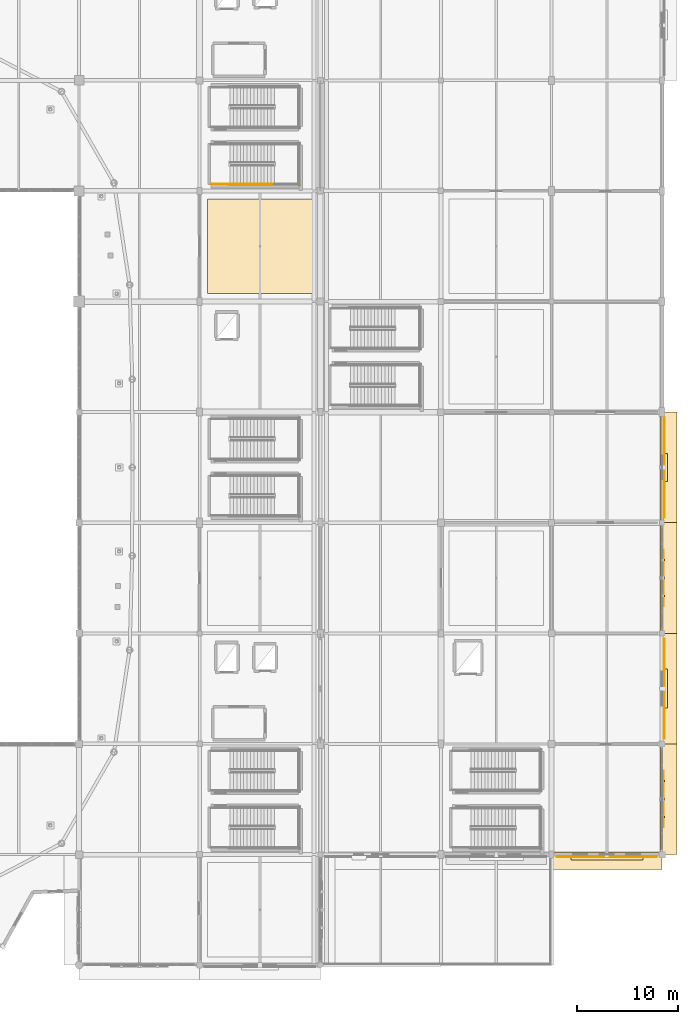
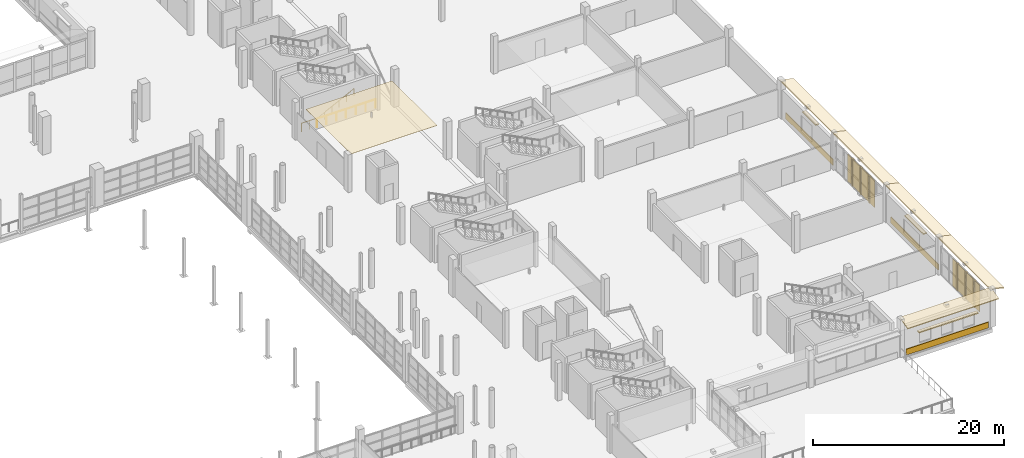
# One storey, part 139 of 143: 18 coverings, 3 railings, 2 shading devices.
"""IFC4 building model written with IfcOpenShell, lengths in metres."""

from ifc_helpers import new_model, si_unit, direction, frame, origin, origin_2d, place, context, subcontext, project, spatial, polyline, rectangle, circle, outline, extrude, material, layer, layer_set, type_object, element, save


model = new_model("IFC4")

# Units and contexts
model_context = context("Model", 3, precision=1e-05, world=origin(), true_north=direction((0.0, 1.0)))
body_context = subcontext(model_context, "Body", "Model", "MODEL_VIEW")
ifc_project = project(units=[si_unit("LENGTHUNIT", "METRE"), si_unit("AREAUNIT", "SQUARE_METRE"), si_unit("VOLUMEUNIT", "CUBIC_METRE"), si_unit("PLANEANGLEUNIT", "RADIAN"), si_unit("MASSUNIT", "GRAM", prefix="KILO")], contexts=[model_context])

# Site, building, storey
site_placement = place(None, origin())
site = spatial("IfcSite", under=ifc_project, at=site_placement, CompositionType="ELEMENT")
building_placement = place(site_placement, origin())
building = spatial("IfcBuilding", under=site, at=building_placement, Name="Luwafu Chhajja Arena", CompositionType="ELEMENT")
storey_placement = place(building_placement, frame((0.0, 0.0, 5.39990234375)))
storey = spatial("IfcBuildingStorey", under=building, at=storey_placement, Name="L01", CompositionType="ELEMENT", Elevation=5.39990234375)

# Coverings
ifc_material_1 = material(Name="Red laterite sandstone cladding", Category="masonry")
ifc_layer_1 = layer(ifc_material_1, 0.074951171875, Name="Red laterite sandstone cladding")
ifc_layer_set_1 = layer_set([ifc_layer_1], Name="Red laterite sandstone cladding")
covering_type_1 = type_object("IfcCoveringType", Name="Dressed Red-Laterite Sandstone Cladding", PredefinedType="CLADDING", material=ifc_layer_set_1)
covering_1_placement = place(storey_placement, frame((187.0, 11.199951171875, 4.760009765625), z_axis=(0.0, -0.242502450825, 0.970150793096), x_axis=(1.0, 0.0, 0.0)))
element("IfcCovering", 1, at=covering_1_placement, inside=storey, type_object=covering_type_1, Name="L01 Continuous Sloped Sandstone Chhajja Eave 0114", PredefinedType="CLADDING", context=body_context, shape_type="SweptSolid", body=[
    extrude(outline(polyline([(0.0, 0.0), (11.0, 0.0), (11.0, -1.731619097341133), (0.0, -1.731619097341133), (0.0, 0.0)])), origin(), (0.0, 0.0, -1.0), 0.1298828125),
])
covering_2_placement = place(storey_placement, frame((192.5, 10.7880859375, 0.0), z_axis=(0.0, 0.0, 1.0), x_axis=(1.0, 0.0, 0.0)))
element("IfcCovering", 2, at=covering_2_placement, inside=storey, type_object=covering_type_1, Name="L01 Red-Laterite Sandstone Plinth Cladding 033", PredefinedType="CLADDING", context=body_context, shape_type="SweptSolid", body=[
    extrude(rectangle(XDim=9.9599609375, YDim=0.0849609375, at=origin_2d()), origin(), (0.0, 0.0, 1.0), 0.760009765625),
])
covering_3_placement = place(storey_placement, frame((192.5, 10.659912109375, 2.47998046875), z_axis=(0.0, 0.0, 1.0), x_axis=(1.0, 0.0, 0.0)))
element("IfcCovering", 3, at=covering_3_placement, inside=storey, type_object=covering_type_1, Name="L01 Mughal Sandstone Window Chhajja Hood 0032", PredefinedType="CLADDING", context=body_context, shape_type="SweptSolid", body=[
    extrude(rectangle(XDim=7.179931640625, YDim=0.419921875, at=origin_2d()), origin(), (0.0, 0.0, 1.0), 0.139892578125),
])
covering_4_placement = place(storey_placement, frame((197.800048828125, 11.0, 4.760009765625), z_axis=(0.242502450825, 0.0, 0.970150793096), x_axis=(0.0, 1.0, 0.0)))
element("IfcCovering", 4, at=covering_4_placement, inside=storey, type_object=covering_type_1, Name="L01 Continuous Sloped Sandstone Chhajja Eave 0115", PredefinedType="CLADDING", context=body_context, shape_type="SweptSolid", body=[
    extrude(outline(polyline([(0.0, 0.0), (11.0, 0.0), (11.0, -1.731619097341133), (0.0, -1.731619097341133), (0.0, 0.0)])), origin(), (0.0, 0.0, -1.0), 0.1298828125),
])
for number, where, z_axis, x_axis, name in (
    (5, (198.110107421875, 14.720458984375, 0.0), (0.0, 0.0, 1.0), (0.0, 1.0, 0.0), "L01 Sandstone Jali Mullion Fin 024"),
    (6, (198.110107421875, 16.512451171875, 0.0), (0.0, 0.0, 1.0), (0.0, 1.0, 0.0), "L01 Sandstone Jali Mullion Fin 024"),
    (7, (198.110107421875, 18.304443359375, 0.0), (0.0, 0.0, 1.0), (0.0, 1.0, 0.0), "L01 Sandstone Jali Mullion Fin 024"),
):
    element("IfcCovering", number, at=place(storey_placement, frame(where, z_axis=z_axis, x_axis=x_axis)), inside=storey, type_object=covering_type_1, Name=name, PredefinedType="CLADDING", context=body_context, shape_type="SweptSolid", body=[
        extrude(rectangle(XDim=0.219970703125, YDim=0.239990234375, at=origin_2d()), origin(), (0.0, 0.0, 1.0), 3.455078125),
    ])
covering_5_placement = place(storey_placement, frame((197.800048828125, 22.0, 4.760009765625), z_axis=(0.242502450825, 0.0, 0.970150793096), x_axis=(0.0, 1.0, 0.0)))
element("IfcCovering", 8, at=covering_5_placement, inside=storey, type_object=covering_type_1, Name="L01 Continuous Sloped Sandstone Chhajja Eave 0116", PredefinedType="CLADDING", context=body_context, shape_type="SweptSolid", body=[
    extrude(outline(polyline([(0.0, 0.0), (11.0, 0.0), (11.0, -1.731619097341133), (0.0, -1.731619097341133), (0.0, 0.0)])), origin(), (0.0, 0.0, -1.0), 0.1298828125),
])
covering_6_placement = place(storey_placement, frame((198.2119140625, 27.5, 0.0), z_axis=(0.0, 0.0, 1.0), x_axis=(0.0, 1.0, 0.0)))
element("IfcCovering", 9, at=covering_6_placement, inside=storey, type_object=covering_type_1, Name="L01 Red-Laterite Sandstone Plinth Cladding 034", PredefinedType="CLADDING", context=body_context, shape_type="SweptSolid", body=[
    extrude(rectangle(XDim=9.9599609375, YDim=0.0849609375, at=origin_2d()), origin(), (0.0, 0.0, 1.0), 0.760009765625),
])
covering_7_placement = place(storey_placement, frame((198.340087890625, 27.5, 2.68017578125), z_axis=(0.0, 0.0, 1.0), x_axis=(0.0, 1.0, 0.0)))
element("IfcCovering", 10, at=covering_7_placement, inside=storey, type_object=covering_type_1, Name="L01 Mughal Sandstone Window Chhajja Hood 0033", PredefinedType="CLADDING", context=body_context, shape_type="SweptSolid", body=[
    extrude(rectangle(XDim=3.89990234375, YDim=0.419921875, at=origin_2d()), origin(), (0.0, 0.0, 1.0), 0.139892578125),
])
covering_8_placement = place(storey_placement, frame((197.800048828125, 33.0, 4.760009765625), z_axis=(0.242502450825, 0.0, 0.970150793096), x_axis=(0.0, 1.0, 0.0)))
element("IfcCovering", 11, at=covering_8_placement, inside=storey, type_object=covering_type_1, Name="L01 Continuous Sloped Sandstone Chhajja Eave 0117", PredefinedType="CLADDING", context=body_context, shape_type="SweptSolid", body=[
    extrude(outline(polyline([(0.0, 0.0), (11.0, 0.0), (11.0, -1.731619097341133), (0.0, -1.731619097341133), (0.0, 0.0)])), origin(), (0.0, 0.0, -1.0), 0.1298828125),
])
for number, where, z_axis, x_axis, name in (
    (12, (198.1298828125, 36.720458984375, 0.0), (0.0, 0.0, 1.0), (0.0, 1.0, 0.0), "L01 Sandstone Jali Mullion Fin 025"),
    (13, (198.1298828125, 38.512451171875, 0.0), (0.0, 0.0, 1.0), (0.0, 1.0, 0.0), "L01 Sandstone Jali Mullion Fin 025"),
    (14, (198.1298828125, 40.304443359375, 0.0), (0.0, 0.0, 1.0), (0.0, 1.0, 0.0), "L01 Sandstone Jali Mullion Fin 025"),
):
    element("IfcCovering", number, at=place(storey_placement, frame(where, z_axis=z_axis, x_axis=x_axis)), inside=storey, type_object=covering_type_1, Name=name, PredefinedType="CLADDING", context=body_context, shape_type="SweptSolid", body=[
        extrude(rectangle(XDim=0.219970703125, YDim=0.239990234375, at=origin_2d()), origin(), (0.0, 0.0, 1.0), 3.455078125),
    ])
covering_9_placement = place(storey_placement, frame((197.800048828125, 44.0, 4.760009765625), z_axis=(0.242502450825, 0.0, 0.970150793096), x_axis=(0.0, 1.0, 0.0)))
element("IfcCovering", 15, at=covering_9_placement, inside=storey, type_object=covering_type_1, Name="L01 Continuous Sloped Sandstone Chhajja Eave 0118", PredefinedType="CLADDING", context=body_context, shape_type="SweptSolid", body=[
    extrude(outline(polyline([(0.0, 0.0), (11.0, 0.0), (11.0, -1.731619097341133), (0.0, -1.731619097341133), (0.0, 0.0)])), origin(), (0.0, 0.0, -1.0), 0.1298828125),
])
covering_10_placement = place(storey_placement, frame((198.2119140625, 49.4951171875, 0.0), z_axis=(0.0, 0.0, 1.0), x_axis=(0.0, 1.0, 0.0)))
element("IfcCovering", 16, at=covering_10_placement, inside=storey, type_object=covering_type_1, Name="L01 Red-Laterite Sandstone Plinth Cladding 035", PredefinedType="CLADDING", context=body_context, shape_type="SweptSolid", body=[
    extrude(rectangle(XDim=9.969970703125, YDim=0.0849609375, at=origin_2d()), origin(), (0.0, 0.0, 1.0), 0.760009765625),
])
covering_11_placement = place(storey_placement, frame((198.340087890625, 49.4951171875, 2.93017578125), z_axis=(0.0, 0.0, 1.0), x_axis=(0.0, 1.0, 0.0)))
element("IfcCovering", 17, at=covering_11_placement, inside=storey, type_object=covering_type_1, Name="L01 Mughal Sandstone Window Chhajja Hood 0034", PredefinedType="CLADDING", context=body_context, shape_type="SweptSolid", body=[
    extrude(rectangle(XDim=2.800048828125, YDim=0.419921875, at=origin_2d()), origin(), (0.0, 0.0, 1.0), 0.139892578125),
])
ifc_material_2 = material(Name="Acoustic gypsum ceiling board")
ifc_layer_2 = layer(ifc_material_2, 0.0400390625, Name="Acoustic gypsum ceiling board")
ifc_layer_set_2 = layer_set([ifc_layer_2], Name="Acoustic gypsum ceiling board")
covering_type_2 = type_object("IfcCoveringType", Name="Perforated Acoustic Baffle Ceiling", PredefinedType="CEILING", material=ifc_layer_set_2)
covering_12_placement = place(storey_placement, frame((0.0, 0.0, 3.843017578125)))
element("IfcCovering", 18, at=covering_12_placement, inside=storey, type_object=covering_type_2, Name="L01 Acoustic Baffle Ceiling 037", PredefinedType="CEILING", context=body_context, shape_type="SweptSolid", body=[
    extrude(outline(polyline([(152.800048828125, 66.800048828125), (163.199951171875, 66.800048828125), (163.199951171875, 76.199951171875), (152.800048828125, 76.199951171875), (152.800048828125, 66.800048828125)])), origin(), (0.0, 0.0, 1.0), 0.0400390625),
])

# Shading devices
ifc_material_3 = material(Name="Pierced buff sandstone jali", Category="masonry")
ifc_layer_3 = layer(ifc_material_3, 0.080078125, Name="Pierced buff sandstone jali")
ifc_layer_set_3 = layer_set([ifc_layer_3], Name="Pierced buff sandstone jali")
shading_device_type = type_object("IfcShadingDeviceType", Name="Pierced Buff-Sandstone Jali Screen", PredefinedType="JALOUSIE", material=ifc_layer_set_3)
for number, where, z_axis, x_axis, name in (
    (19, (198.110107421875, 16.512451171875, 0.0), (0.0, 0.0, 1.0), (0.0, 1.0, 0.0), "L01 Pierced Buff-Sandstone Jali Screen 024"),
    (20, (198.1298828125, 38.512451171875, 0.0), (0.0, 0.0, 1.0), (0.0, 1.0, 0.0), "L01 Pierced Buff-Sandstone Jali Screen 025"),
):
    element("IfcShadingDevice", number, at=place(storey_placement, frame(where, z_axis=z_axis, x_axis=x_axis)), inside=storey, type_object=shading_device_type, Name=name, PredefinedType="JALOUSIE", context=body_context, shape_type="SweptSolid", body=[
        extrude(rectangle(XDim=5.60009765625, YDim=0.080078125, at=origin_2d()), origin(), (0.0, 0.0, 1.0), 3.455078125),
    ])

# Railings
ifc_material_4 = material(Name="Stainless steel handrail", Category="steel")
railing_type_1 = type_object("IfcRailingType", Name="Stair Pitch Wall Handrail 920", PredefinedType="HANDRAIL", material=ifc_material_4)
railing_1_placement = place(storey_placement, frame((155.02001953125, 77.699951171875, 0.171630859375)))
element("IfcRailing", 21, at=railing_1_placement, inside=storey, type_object=railing_type_1, Name="L01 ST-07 stair handrail 1", PredefinedType="HANDRAIL", context=body_context, shape_type="SweptSolid", body=[
    extrude(circle(Radius=0.02392578125, at=origin_2d()), frame((0.0, 0.0, 0.8759765625), z_axis=(0.89292277971, 0.0, 0.450209850486), x_axis=(0.0, 1.0, 0.0)), (0.0, 0.0, 1.0), 4.949951171875),
    extrude(circle(Radius=0.02099609375, at=origin_2d()), origin(), (0.0, 0.0, 1.0), 0.851806640625),
    extrude(circle(Radius=0.02099609375, at=origin_2d()), frame((0.884033203125, 0.0, 0.44580078125)), (0.0, 0.0, 1.0), 0.851806640625),
    extrude(circle(Radius=0.02099609375, at=origin_2d()), frame((1.76806640625, 0.0, 0.891357421875)), (0.0, 0.0, 1.0), 0.851806640625),
    extrude(circle(Radius=0.02099609375, at=origin_2d()), frame((2.65185546875, 0.0, 1.337158203125)), (0.0, 0.0, 1.0), 0.851806640625),
    extrude(circle(Radius=0.02099609375, at=origin_2d()), frame((3.535888671875, 0.0, 1.78271484375)), (0.0, 0.0, 1.0), 0.851806640625),
    extrude(circle(Radius=0.02099609375, at=origin_2d()), frame((4.419921875, 0.0, 2.228515625)), (0.0, 0.0, 1.0), 0.851806640625),
])
ifc_material_5 = material(Name="Stainless steel balustrade", Category="steel")
railing_type_2 = type_object("IfcRailingType", Name="Stair and Terrace Guard Balustrade 1100", PredefinedType="BALUSTRADE", material=ifc_material_5)
railing_2_placement = place(storey_placement, frame((153.10009765625, 77.699951171875, 0.0)))
element("IfcRailing", 22, at=railing_2_placement, inside=storey, type_object=railing_type_2, Name="L01 ST-07 stair guard 8", PredefinedType="BALUSTRADE", context=body_context, shape_type="SweptSolid", body=[
    extrude(circle(Radius=0.02392578125, at=origin_2d()), frame((0.0, 0.0, 1.076171875), z_axis=(1.0, 0.0, 0.0), x_axis=(0.0, 1.0, 0.0)), (0.0, 0.0, 1.0), 1.919921875),
    extrude(circle(Radius=0.02099609375, at=origin_2d()), origin(), (0.0, 0.0, 1.0), 1.052001953125),
    extrude(circle(Radius=0.02099609375, at=origin_2d()), frame((0.9599609375, 0.0, 0.0)), (0.0, 0.0, 1.0), 1.052001953125),
    extrude(circle(Radius=0.02099609375, at=origin_2d()), frame((1.919921875, 0.0, 0.0)), (0.0, 0.0, 1.0), 1.052001953125),
])
railing_3_placement = place(storey_placement, frame((154.919921875, 77.60009765625, 0.0)))
element("IfcRailing", 23, at=railing_3_placement, inside=storey, type_object=railing_type_2, Name="L01 ST-07 stair guard 10", PredefinedType="BALUSTRADE", context=body_context, shape_type="SweptSolid", body=[
    extrude(circle(Radius=0.02392578125, at=origin_2d()), frame((0.0, 0.0, 1.076171875), z_axis=(1.0, 0.0, 0.0), x_axis=(0.0, 1.0, 0.0)), (0.0, 0.0, 1.0), 7.080078125),
    extrude(circle(Radius=0.02099609375, at=origin_2d()), origin(), (0.0, 0.0, 1.0), 1.052001953125),
    extrude(circle(Radius=0.02099609375, at=origin_2d()), frame((1.179931640625, 0.0, 0.0)), (0.0, 0.0, 1.0), 1.052001953125),
    extrude(circle(Radius=0.02099609375, at=origin_2d()), frame((2.360107421875, 0.0, 0.0)), (0.0, 0.0, 1.0), 1.052001953125),
    extrude(circle(Radius=0.02099609375, at=origin_2d()), frame((3.5400390625, 0.0, 0.0)), (0.0, 0.0, 1.0), 1.052001953125),
    extrude(circle(Radius=0.02099609375, at=origin_2d()), frame((4.719970703125, 0.0, 0.0)), (0.0, 0.0, 1.0), 1.052001953125),
    extrude(circle(Radius=0.02099609375, at=origin_2d()), frame((5.900146484375, 0.0, 0.0)), (0.0, 0.0, 1.0), 1.052001953125),
    extrude(circle(Radius=0.02099609375, at=origin_2d()), frame((7.080078125, 0.0, 0.0)), (0.0, 0.0, 1.0), 1.052001953125),
])

save(model, "model.ifc")
